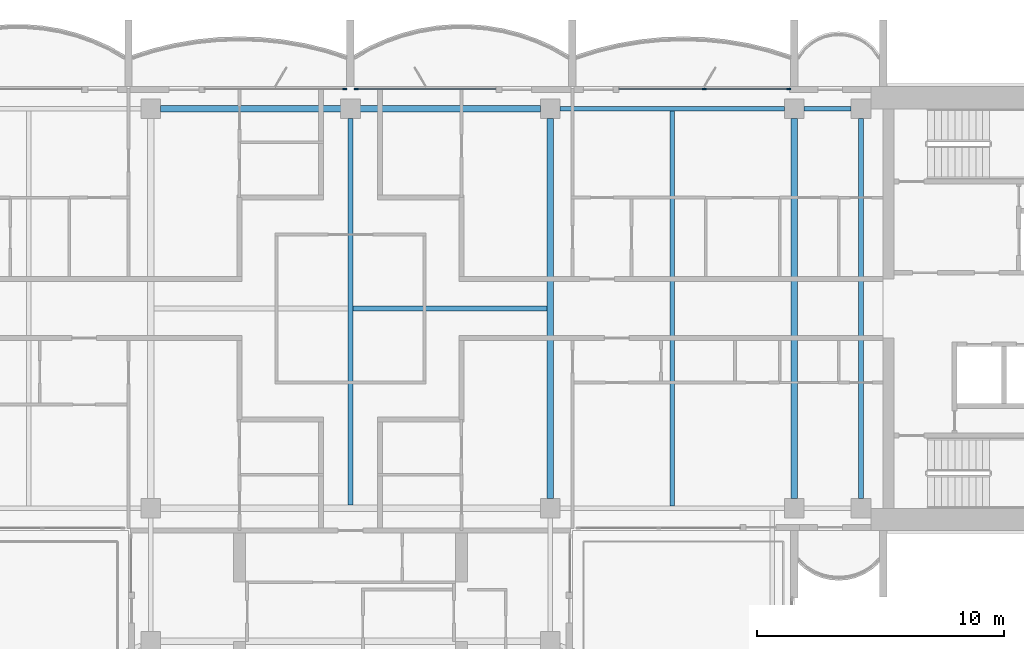
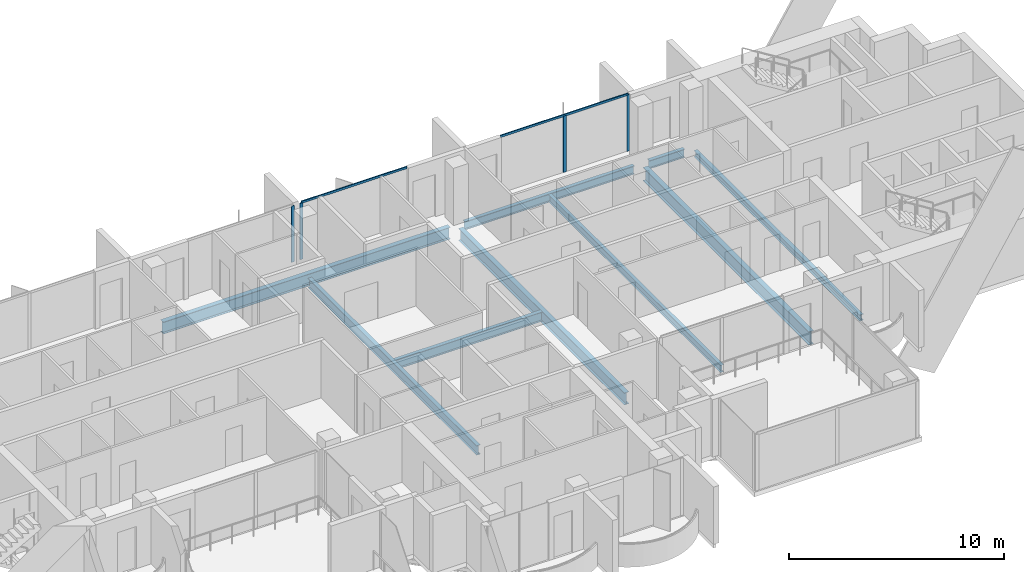
# One storey, part 4 of 16: 9 beams, 6 members, 3 elements without a shape of their own.
"""IFC4 building model written with IfcOpenShell, lengths in metres."""

import ifcopenshell
import ifcopenshell.guid

model = None  # the IFC model being written
_history = None  # IfcOwnerHistory: only IFC2X3 demands one
_inside = {}  # id of a spatial element -> (the spatial element, [elements in it])
_under = {}  # id of a project, library or spatial element -> (it, [spatial elements below it])
_declared = {}  # id of a project -> (the project, [libraries it declares])
_typed = {}  # id of a type object -> (the type object, [elements of that type])
_made_of = {}  # id of a material, layer set ... -> (it, [elements and type objects made of it])


def new_model(schema):
    """Start an empty IFC model of exactly this schema.

    Asked for "IFC4X3", IfcOpenShell would pick the latest addendum, in which some entities
    have other attributes; the version numbers below select the first issue.
    IFC2X3 requires an IfcOwnerHistory on every rooted entity: one is made here for all.
    """
    global model, _history
    if schema == "IFC4X3":
        model = ifcopenshell.file(schema_version=(4, 3, 0, 0))
    else:
        model = ifcopenshell.file(schema=schema)
    _inside.clear()
    _under.clear()
    _declared.clear()
    _typed.clear()
    _made_of.clear()
    _history = None
    if model.schema == "IFC2X3":
        org = make("IfcOrganization", Name="unknown")
        user = make(
            "IfcPersonAndOrganization",
            ThePerson=make("IfcPerson", FamilyName="unknown"),
            TheOrganization=org,
        )
        app = make(
            "IfcApplication",
            ApplicationDeveloper=org,
            Version="unknown",
            ApplicationFullName="unknown",
            ApplicationIdentifier="unknown",
        )
        _history = make(
            "IfcOwnerHistory",
            OwningUser=user,
            OwningApplication=app,
            ChangeAction="ADDED",
            CreationDate=0,
        )
    return model


def make(cls, **values):
    """One entity of the class cls with the attributes given. An attribute that is None is left unset."""
    return model.create_entity(
        cls, **{name: value for name, value in values.items() if value is not None}
    )


def rooted(cls, **values):
    """An entity with a GlobalId (a new one), such as an element, a storey or a relation."""
    return make(cls, GlobalId=ifcopenshell.guid.new(), OwnerHistory=_history, **values)


def si_unit(unit_type, name, prefix=None):
    """IfcSIUnit, for example si_unit("LENGTHUNIT", "METRE", prefix="MILLI")."""
    return make("IfcSIUnit", UnitType=unit_type, Prefix=prefix, Name=name)


def assignment(units):
    """IfcUnitAssignment: the units of a project."""
    return None if units is None else make("IfcUnitAssignment", Units=units)


def point(xyz):
    """IfcCartesianPoint."""
    return None if xyz is None else make("IfcCartesianPoint", Coordinates=xyz)


def direction(xyz):
    """IfcDirection."""
    return None if xyz is None else make("IfcDirection", DirectionRatios=xyz)


def frame(location, z_axis=None, x_axis=None):
    """IfcAxis2Placement3D, a coordinate frame: its origin and axes. An axis left out is left unset."""
    return make(
        "IfcAxis2Placement3D",
        Location=point(location),
        Axis=direction(z_axis),
        RefDirection=direction(x_axis),
    )


def frame_2d(location, x_axis=None):
    """IfcAxis2Placement2D, a coordinate frame in the plane: its origin and x axis."""
    return make(
        "IfcAxis2Placement2D", Location=point(location), RefDirection=direction(x_axis)
    )


def origin():
    """The frame at (0, 0, 0) with its axes left unset."""
    return frame((0.0, 0.0, 0.0))


def origin_2d():
    """The frame at (0, 0) in the plane with its x axis left unset."""
    return frame_2d((0.0, 0.0))


def place(relative_to, where):
    """IfcLocalPlacement: puts the frame where relative to a parent placement (None: the world)."""
    return make(
        "IfcLocalPlacement", PlacementRelTo=relative_to, RelativePlacement=where
    )


def context(
    kind, dimensions, precision=None, world=None, true_north=None, identifier=None
):
    """IfcGeometricRepresentationContext, for example the 3D "Model" context."""
    return make(
        "IfcGeometricRepresentationContext",
        ContextIdentifier=identifier,
        ContextType=kind,
        CoordinateSpaceDimension=dimensions,
        Precision=precision,
        WorldCoordinateSystem=world,
        TrueNorth=true_north,
    )


def subcontext(parent, identifier, kind, view, scale=None):
    """IfcGeometricRepresentationSubContext, for example "Body" below "Model"."""
    return make(
        "IfcGeometricRepresentationSubContext",
        ContextIdentifier=identifier,
        ContextType=kind,
        ParentContext=parent,
        TargetScale=scale,
        TargetView=view,
    )


def project(units=None, contexts=None):
    """IfcProject with its units and contexts."""
    return rooted(
        "IfcProject",
        Name="project",
        RepresentationContexts=contexts,
        UnitsInContext=assignment(units),
    )


def spatial(cls, under=None, at=None, **own):
    """A site, building, storey or space (cls), placed at a placement, below another one or the project."""
    s = rooted(cls, ObjectPlacement=at, **own)
    if under is not None:
        _under.setdefault(under.id(), (under, []))[1].append(s)
    return s


def profile(cls, at=None, kind="AREA", **sizes):
    """A parametric profile (cls). Its sizes go by their IFC names, for example OverallWidth=200.0."""
    return make(cls, ProfileType=kind, Position=at, **sizes)


def rectangle(**sizes):
    """IfcRectangleProfileDef."""
    return profile("IfcRectangleProfileDef", **sizes)


def i_section(**sizes):
    """IfcIShapeProfileDef."""
    return profile("IfcIShapeProfileDef", **sizes)


def extrude(swept, where, along, depth):
    """IfcExtrudedAreaSolid: the profile swept, set in the frame where, extruded along a direction by depth."""
    return make(
        "IfcExtrudedAreaSolid",
        SweptArea=swept,
        Position=where,
        ExtrudedDirection=direction(along),
        Depth=depth,
    )


def shape(context_of_items, identifier, shape_type, items):
    """IfcShapeRepresentation: the items that make up one representation, for example the "Body"."""
    return make(
        "IfcShapeRepresentation",
        ContextOfItems=context_of_items,
        RepresentationIdentifier=identifier,
        RepresentationType=shape_type,
        Items=items,
    )


def material(Name=None, Category=None):
    """IfcMaterial."""
    return make("IfcMaterial", Name=Name, Category=Category)


def material_profile(
    of_material, cross_section, Name=None, Category=None, Priority=None
):
    """IfcMaterialProfile: a cross section and its material."""
    return make(
        "IfcMaterialProfile",
        Name=Name,
        Material=of_material,
        Profile=cross_section,
        Priority=Priority,
        Category=Category,
    )


def profile_set(profiles, Name=None, composite=None):
    """IfcMaterialProfileSet."""
    return make(
        "IfcMaterialProfileSet",
        Name=Name,
        MaterialProfiles=profiles,
        CompositeProfile=composite,
    )


def made_of(thing, what):
    """Note that an element or type object is made of a material, layer set ...; save() writes the relation."""
    if what is not None:
        _made_of.setdefault(what.id(), (what, []))[1].append(thing)
    return thing


def type_object(cls, material=None, **own):
    """A type object (cls), such as IfcWallType, which elements share."""
    return made_of(rooted(cls, **own), material)


def element(
    cls,
    number,
    at=None,
    inside=None,
    cuts=None,
    type_object=None,
    material=None,
    context=None,
    identifier="Body",
    shape_type=None,
    held_by="IfcProductDefinitionShape",
    body=None,
    shapes=None,
    **own,
):
    """One element of the class cls, such as IfcWall. Its Tag is "e" and its number.

    at: its placement. inside: the storey or other place that contains it. cuts: it is an
    opening in that element (IfcRelVoidsElement). A single representation is given by context,
    identifier, shape_type and body (its items); several are given by shapes. held_by: the class
    of the entity that holds the representations. save() writes the other relations.
    """
    e = rooted(cls, Tag="e%d" % number, ObjectPlacement=at, **own)
    if body is not None:
        shapes = [shape(context, identifier, shape_type, body)]
    if shapes is not None:
        e.Representation = make(held_by, Representations=shapes)
    if inside is not None:
        _inside.setdefault(inside.id(), (inside, []))[1].append(e)
    if cuts is not None:
        rooted(
            "IfcRelVoidsElement", RelatingBuildingElement=cuts, RelatedOpeningElement=e
        )
    if type_object is not None:
        _typed.setdefault(type_object.id(), (type_object, []))[1].append(e)
    return made_of(e, material)


def aggregate(whole, parts):
    """IfcRelAggregates: a whole, such as a stair, and the parts it consists of."""
    return rooted("IfcRelAggregates", RelatingObject=whole, RelatedObjects=parts)


def save(model, path):
    """Write the relations noted so far, then the file.

    IfcRelAggregates (storeys below a building ...), IfcRelContainedInSpatialStructure (elements
    in a storey), IfcRelDefinesByType, IfcRelAssociatesMaterial and IfcRelDeclares: one each for
    every whole, place, type object, material and project.
    """
    for whole, parts in _under.values():
        aggregate(whole, parts)
    for where, things in _inside.values():
        rooted(
            "IfcRelContainedInSpatialStructure",
            RelatedElements=things,
            RelatingStructure=where,
        )
    for kind, things in _typed.values():
        rooted("IfcRelDefinesByType", RelatedObjects=things, RelatingType=kind)
    for what, things in _made_of.values():
        rooted("IfcRelAssociatesMaterial", RelatedObjects=things, RelatingMaterial=what)
    for by, libraries in _declared.values():
        rooted("IfcRelDeclares", RelatingContext=by, RelatedDefinitions=libraries)
    model.write(path)


model = new_model("IFC4")

# Units and contexts
model_context = context("Model", 3, precision=1e-05, world=origin(), true_north=direction((0.0, 1.0)))
body_context = subcontext(model_context, "Body", "Model", "MODEL_VIEW")
ifc_project = project(units=[si_unit("LENGTHUNIT", "METRE"), si_unit("AREAUNIT", "SQUARE_METRE"), si_unit("VOLUMEUNIT", "CUBIC_METRE"), si_unit("PLANEANGLEUNIT", "RADIAN"), si_unit("MASSUNIT", "GRAM", prefix="KILO")], contexts=[model_context])

# Site, building, storey
site_placement = place(None, origin())
site = spatial("IfcSite", under=ifc_project, at=site_placement, CompositionType="ELEMENT")
building_placement = place(site_placement, origin())
building = spatial("IfcBuilding", under=site, at=building_placement, Name="Perihelion Cross Residences", CompositionType="ELEMENT")
storey_placement = place(building_placement, frame((0.0, 0.0, 239.5)))
storey = spatial("IfcBuildingStorey", under=building, at=storey_placement, Name="L60", CompositionType="ELEMENT", Elevation=239.5)

# Curtain wall, members
ifc_material_1 = material(Name="Bronze anodised aluminium, tinted glazing", Category="aluminium")
curtain_wall_type = type_object("IfcCurtainWallType", Name="CW1", PredefinedType="NOTDEFINED", material=ifc_material_1)
curtain_wall_1_placement = place(storey_placement, origin())
curtain_wall_1 = element("IfcCurtainWall", 1, at=curtain_wall_1_placement, inside=storey, type_object=curtain_wall_type, Name="Curtain wall CW1 L60 east side north bay 2", PredefinedType="NOTDEFINED")
ifc_material_2 = material(Name="Bronze anodised aluminium", Category="aluminium")
ifc_material_profile_1 = material_profile(ifc_material_2, rectangle(XDim=0.06005859375, YDim=0.159912109375, at=origin_2d()), Name="CW1 mullion")
ifc_profile_set_1 = profile_set([ifc_material_profile_1], Name="Bronze anodised aluminium")
member_type_1 = type_object("IfcMemberType", Name="CW1 mullion", PredefinedType="MULLION", material=ifc_profile_set_1)
member_1_placement = place(storey_placement, frame((17.77001953125, 8.89990234375, 0.0), z_axis=(0.0, 0.0, 1.0), x_axis=(0.0, -1.0, 0.0)))
member_1 = element("IfcMember", 2, at=member_1_placement, type_object=member_type_1, Name="CW1 mullion 1", PredefinedType="MULLION", context=body_context, shape_type="SweptSolid", body=[
    extrude(rectangle(XDim=0.06005859375, YDim=0.159912109375, at=origin_2d()), origin(), (0.0, 0.0, 1.0), 3.18994140625),
])
member_2_placement = place(storey_placement, frame((14.35009765625, 8.89990234375, 0.0), z_axis=(0.0, 0.0, 1.0), x_axis=(0.0, -1.0, 0.0)))
member_2 = element("IfcMember", 3, at=member_2_placement, type_object=member_type_1, Name="CW1 mullion 2", PredefinedType="MULLION", context=body_context, shape_type="SweptSolid", body=[
    extrude(rectangle(XDim=0.06005859375, YDim=0.159912109375, at=origin_2d()), origin(), (0.0, 0.0, 1.0), 3.18994140625),
])

# Curtain wall, member
curtain_wall_2_placement = place(storey_placement, origin())
curtain_wall_2 = element("IfcCurtainWall", 4, at=curtain_wall_2_placement, inside=storey, type_object=curtain_wall_type, Name="Curtain wall CW1 L60 north side east bay 1", PredefinedType="NOTDEFINED")
member_3_placement = place(storey_placement, frame((0.22998046875, 8.89990234375, 0.0), z_axis=(0.0, 0.0, 1.0), x_axis=(0.0, -1.0, 0.0)))
member_3 = element("IfcMember", 5, at=member_3_placement, type_object=member_type_1, Name="CW1 mullion 2", PredefinedType="MULLION", context=body_context, shape_type="SweptSolid", body=[
    extrude(rectangle(XDim=0.06005859375, YDim=0.159912109375, at=origin_2d()), origin(), (0.0, 0.0, 1.0), 3.18994140625),
])

curtain_wall_3_placement = place(storey_placement, origin())
curtain_wall_3 = element("IfcCurtainWall", 6, at=curtain_wall_3_placement, inside=storey, type_object=curtain_wall_type, Name="Curtain wall CW1 L60 north side east bay 2", PredefinedType="NOTDEFINED")
member_4_placement = place(storey_placement, frame((-0.22998046875, 8.89990234375, 0.0), z_axis=(0.0, 0.0, 1.0), x_axis=(0.0, -1.0, 0.0)))
member_4 = element("IfcMember", 7, at=member_4_placement, type_object=member_type_1, Name="CW1 mullion 1", PredefinedType="MULLION", context=body_context, shape_type="SweptSolid", body=[
    extrude(rectangle(XDim=0.06005859375, YDim=0.159912109375, at=origin_2d()), origin(), (0.0, 0.0, 1.0), 3.18994140625),
])
aggregate(curtain_wall_3, [member_4])

# Member
ifc_material_3 = material(Name="Bronze anodised aluminium", Category="aluminium")
ifc_material_profile_2 = material_profile(ifc_material_3, rectangle(XDim=0.06005859375, YDim=0.1201171875, at=origin_2d()), Name="CW1 transom")
ifc_profile_set_2 = profile_set([ifc_material_profile_2], Name="Bronze anodised aluminium")
member_type_2 = type_object("IfcMemberType", Name="CW1 transom", PredefinedType="USERDEFINED", material=ifc_profile_set_2)
member_5_placement = place(storey_placement, frame((17.77001953125, 8.89990234375, 3.219970703125), z_axis=(-1.0, 0.0, 0.0), x_axis=(0.0, -1.0, 0.0)))
member_5 = element("IfcMember", 8, at=member_5_placement, type_object=member_type_2, Name="CW1 head transom", ObjectType="TRANSOM", PredefinedType="USERDEFINED", context=body_context, shape_type="SweptSolid", body=[
    extrude(rectangle(XDim=0.06005859375, YDim=0.1201171875, at=origin_2d()), origin(), (0.0, 0.0, 1.0), 6.8701171875),
])

aggregate(curtain_wall_1, [member_1, member_2, member_5])

member_6_placement = place(storey_placement, frame((5.89990234375, 8.89990234375, 3.219970703125), z_axis=(-1.0, 0.0, 0.0), x_axis=(0.0, -1.0, 0.0)))
member_6 = element("IfcMember", 9, at=member_6_placement, type_object=member_type_2, Name="CW1 head transom", ObjectType="TRANSOM", PredefinedType="USERDEFINED", context=body_context, shape_type="SweptSolid", body=[
    extrude(rectangle(XDim=0.06005859375, YDim=0.1201171875, at=origin_2d()), origin(), (0.0, 0.0, 1.0), 5.669921875),
])

aggregate(curtain_wall_2, [member_3, member_6])

# Beams
ifc_material_4 = material(Name="Steel S355", Category="steel")
ifc_material_profile_3 = material_profile(ifc_material_4, i_section(OverallWidth=0.205078125, OverallDepth=0.35302734375, WebThickness=0.009521484375, FlangeThickness=0.016845703125, at=origin_2d()), Name="W360x79")
ifc_profile_set_3 = profile_set([ifc_material_profile_3], Name="Steel S355")
beam_type_1 = type_object("IfcBeamType", Name="Core edge beam W360x79", PredefinedType="BEAM", material=ifc_profile_set_3)
beam_1_placement = place(storey_placement, frame((20.699951171875, -7.699951171875, -0.426513671875), z_axis=(0.0, 1.0, 0.0), x_axis=(-1.0, 0.0, 0.0)))
element("IfcBeam", 10, at=beam_1_placement, inside=storey, type_object=beam_type_1, Name="Core edge beam TB7 L60 no. 2", PredefinedType="BEAM", context=body_context, shape_type="SweptSolid", body=[
    extrude(i_section(OverallWidth=0.205078125, OverallDepth=0.35302734375, WebThickness=0.009521484375, FlangeThickness=0.016845703125, at=origin_2d()), origin(), (0.0, 0.0, 1.0), 15.39990234375),
])
ifc_material_5 = material(Name="Steel S355", Category="steel")
ifc_material_profile_4 = material_profile(ifc_material_5, i_section(OverallWidth=0.194091796875, OverallDepth=0.469970703125, WebThickness=0.0126953125, FlangeThickness=0.0205078125, at=origin_2d()), Name="W460x106")
ifc_profile_set_4 = profile_set([ifc_material_profile_4], Name="Steel S355")
beam_type_2 = type_object("IfcBeamType", Name="Edge beam W460x106", PredefinedType="SPANDREL", material=ifc_profile_set_4)
beam_2_placement = place(storey_placement, frame((20.300048828125, 8.10009765625, -0.485107421875), z_axis=(-1.0, 0.0, 0.0), x_axis=(0.0, -1.0, 0.0)))
element("IfcBeam", 11, at=beam_2_placement, inside=storey, type_object=beam_type_2, Name="Edge beam SB5 L60 no. 10", PredefinedType="SPANDREL", context=body_context, shape_type="SweptSolid", body=[
    extrude(i_section(OverallWidth=0.194091796875, OverallDepth=0.469970703125, WebThickness=0.0126953125, FlangeThickness=0.0205078125, at=origin_2d()), origin(), (0.0, 0.0, 1.0), 1.900146484375),
])
beam_3_placement = place(storey_placement, frame((17.60009765625, 8.10009765625, -0.485107421875), z_axis=(-1.0, 0.0, 0.0), x_axis=(0.0, -1.0, 0.0)))
element("IfcBeam", 12, at=beam_3_placement, inside=storey, type_object=beam_type_2, Name="Edge beam SB5 L60 no. 9", PredefinedType="SPANDREL", context=body_context, shape_type="SweptSolid", body=[
    extrude(i_section(OverallWidth=0.194091796875, OverallDepth=0.469970703125, WebThickness=0.0126953125, FlangeThickness=0.0205078125, at=origin_2d()), origin(), (0.0, 0.0, 1.0), 9.10009765625),
])
ifc_material_6 = material(Name="Steel S355", Category="steel")
ifc_material_profile_5 = material_profile(ifc_material_6, i_section(OverallWidth=0.26708984375, OverallDepth=0.75390625, WebThickness=0.01318359375, FlangeThickness=0.01708984375, at=origin_2d()), Name="W760x147")
ifc_profile_set_5 = profile_set([ifc_material_profile_5], Name="Steel S355")
beam_type_3 = type_object("IfcBeamType", Name="Floor girder W760x147", PredefinedType="BEAM", material=ifc_profile_set_5)
beam_4_placement = place(storey_placement, frame((18.0, -7.699951171875, -0.626953125), z_axis=(0.0, 1.0, 0.0), x_axis=(-1.0, 0.0, 0.0)))
element("IfcBeam", 13, at=beam_4_placement, inside=storey, type_object=beam_type_3, Name="Girder G5 L60 no. 2", PredefinedType="BEAM", context=body_context, shape_type="SweptSolid", body=[
    extrude(i_section(OverallWidth=0.26708984375, OverallDepth=0.75390625, WebThickness=0.01318359375, FlangeThickness=0.01708984375, at=origin_2d()), origin(), (0.0, 0.0, 1.0), 15.39990234375),
])
ifc_material_7 = material(Name="Steel S355", Category="steel")
ifc_material_profile_6 = material_profile(ifc_material_7, i_section(OverallWidth=0.177978515625, OverallDepth=0.406005859375, WebThickness=0.0078125, FlangeThickness=0.0126953125, at=origin_2d()), Name="W410x60")
ifc_profile_set_6 = profile_set([ifc_material_profile_6], Name="Steel S355")
beam_type_4 = type_object("IfcBeamType", Name="Floor joist W410x60", PredefinedType="JOIST", material=ifc_profile_set_6)
beam_5_placement = place(storey_placement, frame((13.050048828125, -8.0029296875, -0.452880859375), z_axis=(0.0, 1.0, 0.0), x_axis=(-1.0, 0.0, 0.0)))
element("IfcBeam", 14, at=beam_5_placement, inside=storey, type_object=beam_type_4, Name="Joist J6 L60 no. 2", PredefinedType="JOIST", context=body_context, shape_type="SweptSolid", body=[
    extrude(i_section(OverallWidth=0.177978515625, OverallDepth=0.406005859375, WebThickness=0.0078125, FlangeThickness=0.0126953125, at=origin_2d()), origin(), (0.0, 0.0, 1.0), 16.005859375),
])
ifc_material_8 = material(Name="Steel S355", Category="steel")
ifc_material_profile_7 = material_profile(ifc_material_8, i_section(OverallWidth=0.208984375, OverallDepth=0.532958984375, WebThickness=0.01025390625, FlangeThickness=0.015625, at=origin_2d()), Name="W530x92")
ifc_profile_set_7 = profile_set([ifc_material_profile_7], Name="Steel S355")
beam_type_5 = type_object("IfcBeamType", Name="Hub cross beam W530x92", PredefinedType="BEAM", material=ifc_profile_set_7)
beam_6_placement = place(storey_placement, frame((0.0, -7.972900390625, -0.5166015625), z_axis=(0.0, 1.0, 0.0), x_axis=(-1.0, 0.0, 0.0)))
element("IfcBeam", 15, at=beam_6_placement, inside=storey, type_object=beam_type_5, Name="Hub cross beam XB5 L60 no. 1", PredefinedType="BEAM", context=body_context, shape_type="SweptSolid", body=[
    extrude(i_section(OverallWidth=0.208984375, OverallDepth=0.532958984375, WebThickness=0.01025390625, FlangeThickness=0.015625, at=origin_2d()), origin(), (0.0, 0.0, 1.0), 15.6728515625),
])
beam_7_placement = place(storey_placement, frame((0.1044921875, 0.0, -0.5166015625), z_axis=(1.0, 0.0, 0.0), x_axis=(0.0, 1.0, 0.0)))
element("IfcBeam", 16, at=beam_7_placement, inside=storey, type_object=beam_type_5, Name="Hub cross beam XB5 L60 2 no. 1", PredefinedType="BEAM", context=body_context, shape_type="SweptSolid", body=[
    extrude(i_section(OverallWidth=0.208984375, OverallDepth=0.532958984375, WebThickness=0.01025390625, FlangeThickness=0.015625, at=origin_2d()), origin(), (0.0, 0.0, 1.0), 7.868408203125),
])
ifc_material_9 = material(Name="Steel S355", Category="steel")
ifc_material_profile_8 = material_profile(ifc_material_9, i_section(OverallWidth=0.25390625, OverallDepth=0.677978515625, WebThickness=0.01171875, FlangeThickness=0.016357421875, at=origin_2d()), Name="W690x125")
ifc_profile_set_8 = profile_set([ifc_material_profile_8], Name="Steel S355")
beam_type_6 = type_object("IfcBeamType", Name="Hub ring girder W690x125", PredefinedType="BEAM", material=ifc_profile_set_8)
for number, where, z_axis, x_axis, name in (
    (17, (8.10009765625, -7.699951171875, -0.589111328125), (0.0, 1.0, 0.0), (-1.0, 0.0, 0.0), "Hub ring girder RG5 L60 no. 3"),
    (18, (7.699951171875, 8.10009765625, -0.589111328125), (-1.0, 0.0, 0.0), (0.0, -1.0, 0.0), "Hub ring girder RG5 L60 no. 4"),
):
    element("IfcBeam", number, at=place(storey_placement, frame(where, z_axis=z_axis, x_axis=x_axis)), inside=storey, type_object=beam_type_6, Name=name, PredefinedType="BEAM", context=body_context, shape_type="SweptSolid", body=[
        extrude(i_section(OverallWidth=0.25390625, OverallDepth=0.677978515625, WebThickness=0.01171875, FlangeThickness=0.016357421875, at=origin_2d()), origin(), (0.0, 0.0, 1.0), 15.39990234375),
    ])

save(model, "model.ifc")
